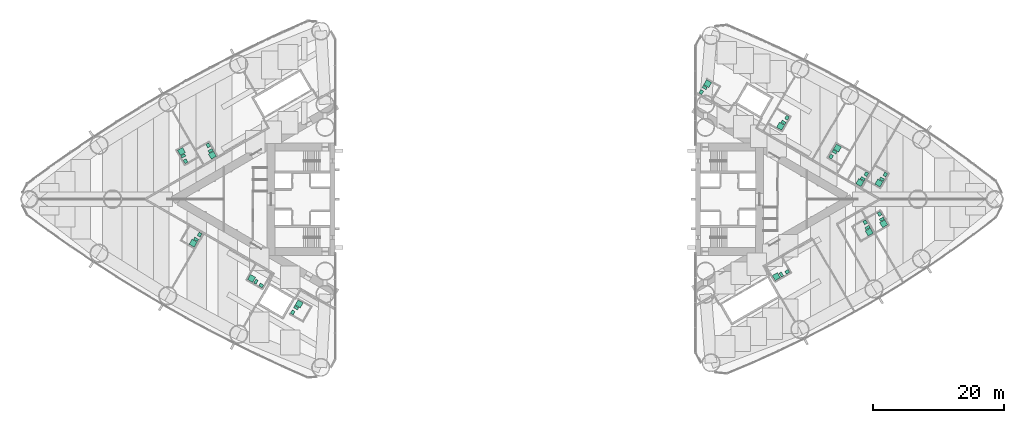
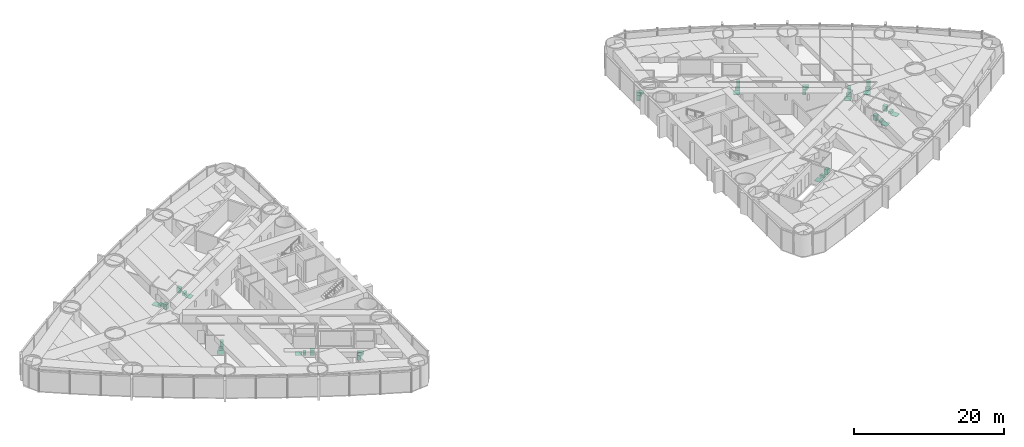
# One storey, part 19 of 19: 17 sanitary terminals.
"""IFC4 building model written with IfcOpenShell, lengths in metres."""

import ifcopenshell
import ifcopenshell.guid

model = None  # the IFC model being written
_history = None  # IfcOwnerHistory: only IFC2X3 demands one
_inside = {}  # id of a spatial element -> (the spatial element, [elements in it])
_under = {}  # id of a project, library or spatial element -> (it, [spatial elements below it])
_declared = {}  # id of a project -> (the project, [libraries it declares])
_typed = {}  # id of a type object -> (the type object, [elements of that type])
_made_of = {}  # id of a material, layer set ... -> (it, [elements and type objects made of it])


def new_model(schema):
    """Start an empty IFC model of exactly this schema.

    Asked for "IFC4X3", IfcOpenShell would pick the latest addendum, in which some entities
    have other attributes; the version numbers below select the first issue.
    IFC2X3 requires an IfcOwnerHistory on every rooted entity: one is made here for all.
    """
    global model, _history
    if schema == "IFC4X3":
        model = ifcopenshell.file(schema_version=(4, 3, 0, 0))
    else:
        model = ifcopenshell.file(schema=schema)
    _inside.clear()
    _under.clear()
    _declared.clear()
    _typed.clear()
    _made_of.clear()
    _history = None
    if model.schema == "IFC2X3":
        org = make("IfcOrganization", Name="unknown")
        user = make(
            "IfcPersonAndOrganization",
            ThePerson=make("IfcPerson", FamilyName="unknown"),
            TheOrganization=org,
        )
        app = make(
            "IfcApplication",
            ApplicationDeveloper=org,
            Version="unknown",
            ApplicationFullName="unknown",
            ApplicationIdentifier="unknown",
        )
        _history = make(
            "IfcOwnerHistory",
            OwningUser=user,
            OwningApplication=app,
            ChangeAction="ADDED",
            CreationDate=0,
        )
    return model


def make(cls, **values):
    """One entity of the class cls with the attributes given. An attribute that is None is left unset."""
    return model.create_entity(
        cls, **{name: value for name, value in values.items() if value is not None}
    )


def rooted(cls, **values):
    """An entity with a GlobalId (a new one), such as an element, a storey or a relation."""
    return make(cls, GlobalId=ifcopenshell.guid.new(), OwnerHistory=_history, **values)


def si_unit(unit_type, name, prefix=None):
    """IfcSIUnit, for example si_unit("LENGTHUNIT", "METRE", prefix="MILLI")."""
    return make("IfcSIUnit", UnitType=unit_type, Prefix=prefix, Name=name)


def assignment(units):
    """IfcUnitAssignment: the units of a project."""
    return None if units is None else make("IfcUnitAssignment", Units=units)


def point(xyz):
    """IfcCartesianPoint."""
    return None if xyz is None else make("IfcCartesianPoint", Coordinates=xyz)


def direction(xyz):
    """IfcDirection."""
    return None if xyz is None else make("IfcDirection", DirectionRatios=xyz)


def frame(location, z_axis=None, x_axis=None):
    """IfcAxis2Placement3D, a coordinate frame: its origin and axes. An axis left out is left unset."""
    return make(
        "IfcAxis2Placement3D",
        Location=point(location),
        Axis=direction(z_axis),
        RefDirection=direction(x_axis),
    )


def frame_2d(location, x_axis=None):
    """IfcAxis2Placement2D, a coordinate frame in the plane: its origin and x axis."""
    return make(
        "IfcAxis2Placement2D", Location=point(location), RefDirection=direction(x_axis)
    )


def origin():
    """The frame at (0, 0, 0) with its axes left unset."""
    return frame((0.0, 0.0, 0.0))


def origin_2d():
    """The frame at (0, 0) in the plane with its x axis left unset."""
    return frame_2d((0.0, 0.0))


def place(relative_to, where):
    """IfcLocalPlacement: puts the frame where relative to a parent placement (None: the world)."""
    return make(
        "IfcLocalPlacement", PlacementRelTo=relative_to, RelativePlacement=where
    )


def context(
    kind, dimensions, precision=None, world=None, true_north=None, identifier=None
):
    """IfcGeometricRepresentationContext, for example the 3D "Model" context."""
    return make(
        "IfcGeometricRepresentationContext",
        ContextIdentifier=identifier,
        ContextType=kind,
        CoordinateSpaceDimension=dimensions,
        Precision=precision,
        WorldCoordinateSystem=world,
        TrueNorth=true_north,
    )


def subcontext(parent, identifier, kind, view, scale=None):
    """IfcGeometricRepresentationSubContext, for example "Body" below "Model"."""
    return make(
        "IfcGeometricRepresentationSubContext",
        ContextIdentifier=identifier,
        ContextType=kind,
        ParentContext=parent,
        TargetScale=scale,
        TargetView=view,
    )


def project(units=None, contexts=None):
    """IfcProject with its units and contexts."""
    return rooted(
        "IfcProject",
        Name="project",
        RepresentationContexts=contexts,
        UnitsInContext=assignment(units),
    )


def spatial(cls, under=None, at=None, **own):
    """A site, building, storey or space (cls), placed at a placement, below another one or the project."""
    s = rooted(cls, ObjectPlacement=at, **own)
    if under is not None:
        _under.setdefault(under.id(), (under, []))[1].append(s)
    return s


def profile(cls, at=None, kind="AREA", **sizes):
    """A parametric profile (cls). Its sizes go by their IFC names, for example OverallWidth=200.0."""
    return make(cls, ProfileType=kind, Position=at, **sizes)


def rectangle(**sizes):
    """IfcRectangleProfileDef."""
    return profile("IfcRectangleProfileDef", **sizes)


def extrude(swept, where, along, depth):
    """IfcExtrudedAreaSolid: the profile swept, set in the frame where, extruded along a direction by depth."""
    return make(
        "IfcExtrudedAreaSolid",
        SweptArea=swept,
        Position=where,
        ExtrudedDirection=direction(along),
        Depth=depth,
    )


def shape(context_of_items, identifier, shape_type, items):
    """IfcShapeRepresentation: the items that make up one representation, for example the "Body"."""
    return make(
        "IfcShapeRepresentation",
        ContextOfItems=context_of_items,
        RepresentationIdentifier=identifier,
        RepresentationType=shape_type,
        Items=items,
    )


def material(Name=None, Category=None):
    """IfcMaterial."""
    return make("IfcMaterial", Name=Name, Category=Category)


def made_of(thing, what):
    """Note that an element or type object is made of a material, layer set ...; save() writes the relation."""
    if what is not None:
        _made_of.setdefault(what.id(), (what, []))[1].append(thing)
    return thing


def type_object(cls, material=None, **own):
    """A type object (cls), such as IfcWallType, which elements share."""
    return made_of(rooted(cls, **own), material)


def element(
    cls,
    number,
    at=None,
    inside=None,
    cuts=None,
    type_object=None,
    material=None,
    context=None,
    identifier="Body",
    shape_type=None,
    held_by="IfcProductDefinitionShape",
    body=None,
    shapes=None,
    **own,
):
    """One element of the class cls, such as IfcWall. Its Tag is "e" and its number.

    at: its placement. inside: the storey or other place that contains it. cuts: it is an
    opening in that element (IfcRelVoidsElement). A single representation is given by context,
    identifier, shape_type and body (its items); several are given by shapes. held_by: the class
    of the entity that holds the representations. save() writes the other relations.
    """
    e = rooted(cls, Tag="e%d" % number, ObjectPlacement=at, **own)
    if body is not None:
        shapes = [shape(context, identifier, shape_type, body)]
    if shapes is not None:
        e.Representation = make(held_by, Representations=shapes)
    if inside is not None:
        _inside.setdefault(inside.id(), (inside, []))[1].append(e)
    if cuts is not None:
        rooted(
            "IfcRelVoidsElement", RelatingBuildingElement=cuts, RelatedOpeningElement=e
        )
    if type_object is not None:
        _typed.setdefault(type_object.id(), (type_object, []))[1].append(e)
    return made_of(e, material)


def aggregate(whole, parts):
    """IfcRelAggregates: a whole, such as a stair, and the parts it consists of."""
    return rooted("IfcRelAggregates", RelatingObject=whole, RelatedObjects=parts)


def save(model, path):
    """Write the relations noted so far, then the file.

    IfcRelAggregates (storeys below a building ...), IfcRelContainedInSpatialStructure (elements
    in a storey), IfcRelDefinesByType, IfcRelAssociatesMaterial and IfcRelDeclares: one each for
    every whole, place, type object, material and project.
    """
    for whole, parts in _under.values():
        aggregate(whole, parts)
    for where, things in _inside.values():
        rooted(
            "IfcRelContainedInSpatialStructure",
            RelatedElements=things,
            RelatingStructure=where,
        )
    for kind, things in _typed.values():
        rooted("IfcRelDefinesByType", RelatedObjects=things, RelatingType=kind)
    for what, things in _made_of.values():
        rooted("IfcRelAssociatesMaterial", RelatedObjects=things, RelatingMaterial=what)
    for by, libraries in _declared.values():
        rooted("IfcRelDeclares", RelatingContext=by, RelatedDefinitions=libraries)
    model.write(path)


model = new_model("IFC4")

# Units and contexts
model_context = context("Model", 3, precision=1e-05, world=origin(), true_north=direction((0.0, 1.0)))
body_context = subcontext(model_context, "Body", "Model", "MODEL_VIEW")
ifc_project = project(units=[si_unit("LENGTHUNIT", "METRE"), si_unit("AREAUNIT", "SQUARE_METRE"), si_unit("VOLUMEUNIT", "CUBIC_METRE"), si_unit("PLANEANGLEUNIT", "RADIAN"), si_unit("MASSUNIT", "GRAM", prefix="KILO")], contexts=[model_context])

# Site, building, storey
site_placement = place(None, origin())
site = spatial("IfcSite", under=ifc_project, at=site_placement, CompositionType="ELEMENT")
building_placement = place(site_placement, origin())
building = spatial("IfcBuilding", under=site, at=building_placement, Name="Lancet Gate Hotel", CompositionType="ELEMENT")
storey_placement = place(building_placement, frame((0.0, 0.0, 18.0)))
storey = spatial("IfcBuildingStorey", under=building, at=storey_placement, Name="L03", CompositionType="ELEMENT", Elevation=18.0)

# Sanitary terminals
ifc_material_1 = material(Name="Vitreous china sanitary ware")
sanitary_terminal_type_1 = type_object("IfcSanitaryTerminalType", Name="En-suite sanitary set (shower, WC, basin)", PredefinedType="USERDEFINED", material=ifc_material_1)
sanitary_terminal_1_placement = place(storey_placement, frame((-50.99169921875, 7.2958984375, 0.0), z_axis=(0.0, 0.0, 1.0), x_axis=(1.0, 0.0, 0.0)))
element("IfcSanitaryTerminal", 1, at=sanitary_terminal_1_placement, inside=storey, type_object=sanitary_terminal_type_1, Name="En-suite sanitary set (shower, WC, basin) 0303", ObjectType="EN-SUITE SANITARY SET", PredefinedType="USERDEFINED", context=body_context, shape_type="SweptSolid", body=[
    extrude(rectangle(XDim=0.89990234375, YDim=0.89990234375, at=origin_2d()), frame((0.0, 0.0, 0.0), z_axis=(0.0, 0.0, 1.0), x_axis=(-0.5, 0.866025403784, 0.0)), (0.0, 0.0, 1.0), 0.050048828125),
    extrude(rectangle(XDim=0.39990234375, YDim=0.699951171875, at=origin_2d()), frame((0.278564453125, -0.682373046875, 0.0), z_axis=(0.0, 0.0, 1.0), x_axis=(-0.5, 0.866025403784, 0.0)), (0.0, 0.0, 1.0), 0.39990234375),
    extrude(rectangle(XDim=0.60009765625, YDim=0.5, at=origin_2d()), frame((0.6318359375, -1.494384765625, 0.0), z_axis=(0.0, 0.0, 1.0), x_axis=(-0.5, 0.866025403784, 0.0)), (0.0, 0.0, 1.0), 0.85009765625),
])
sanitary_terminal_2_placement = place(storey_placement, frame((-49.200439453125, -6.71337890625, 0.0), z_axis=(0.0, 0.0, 1.0), x_axis=(1.0, 0.0, 0.0)))
element("IfcSanitaryTerminal", 2, at=sanitary_terminal_2_placement, inside=storey, type_object=sanitary_terminal_type_1, Name="En-suite sanitary set (shower, WC, basin) 0305", ObjectType="EN-SUITE SANITARY SET", PredefinedType="USERDEFINED", context=body_context, shape_type="SweptSolid", body=[
    extrude(rectangle(XDim=0.89990234375, YDim=0.89990234375, at=origin_2d()), frame((0.0, 0.0, 0.0), z_axis=(0.0, 0.0, 1.0), x_axis=(-0.5, -0.866025403784, 0.0)), (0.0, 0.0, 1.0), 0.050048828125),
    extrude(rectangle(XDim=0.39990234375, YDim=0.699951171875, at=origin_2d()), frame((0.45166015625, 0.582275390625, 0.0), z_axis=(0.0, 0.0, 1.0), x_axis=(-0.5, -0.866025403784, 0.0)), (0.0, 0.0, 1.0), 0.39990234375),
    extrude(rectangle(XDim=0.60009765625, YDim=0.5, at=origin_2d()), frame((0.978271484375, 1.29443359375, 0.0), z_axis=(0.0, 0.0, 1.0), x_axis=(-0.5, -0.866025403784, 0.0)), (0.0, 0.0, 1.0), 0.85009765625),
])
sanitary_terminal_3_placement = place(storey_placement, frame((-46.261962890625, 6.72412109375, 0.0), z_axis=(0.0, 0.0, 1.0), x_axis=(1.0, 0.0, 0.0)))
element("IfcSanitaryTerminal", 3, at=sanitary_terminal_3_placement, inside=storey, type_object=sanitary_terminal_type_1, Name="En-suite sanitary set (shower, WC, basin) 0302", ObjectType="EN-SUITE SANITARY SET", PredefinedType="USERDEFINED", context=body_context, shape_type="SweptSolid", body=[
    extrude(rectangle(XDim=0.89990234375, YDim=0.89990234375, at=origin_2d()), frame((0.0, 0.0, 0.0), z_axis=(0.0, 0.0, 1.0), x_axis=(0.5, -0.866025403784, 0.0)), (0.0, 0.0, 1.0), 0.050048828125),
    extrude(rectangle(XDim=0.39990234375, YDim=0.699951171875, at=origin_2d()), frame((-0.2783203125, 0.68212890625, 0.0), z_axis=(0.0, 0.0, 1.0), x_axis=(0.5, -0.866025403784, 0.0)), (0.0, 0.0, 1.0), 0.39990234375),
    extrude(rectangle(XDim=0.60009765625, YDim=0.5, at=origin_2d()), frame((-0.6318359375, 1.494140625, 0.0), z_axis=(0.0, 0.0, 1.0), x_axis=(0.5, -0.866025403784, 0.0)), (0.0, 0.0, 1.0), 0.85009765625),
])
sanitary_terminal_4_placement = place(storey_placement, frame((-33.0107421875, -15.9912109375, 0.0), z_axis=(0.0, 0.0, 1.0), x_axis=(1.0, 0.0, 0.0)))
element("IfcSanitaryTerminal", 4, at=sanitary_terminal_4_placement, inside=storey, type_object=sanitary_terminal_type_1, Name="En-suite sanitary set (shower, WC, basin) 0308", ObjectType="EN-SUITE SANITARY SET", PredefinedType="USERDEFINED", context=body_context, shape_type="SweptSolid", body=[
    extrude(rectangle(XDim=0.89990234375, YDim=0.89990234375, at=origin_2d()), frame((0.0, 0.0, 0.0), z_axis=(0.0, 0.0, 1.0), x_axis=(0.5, 0.866025403784, 0.0)), (0.0, 0.0, 1.0), 0.050048828125),
    extrude(rectangle(XDim=0.39990234375, YDim=0.699951171875, at=origin_2d()), frame((-0.45166015625, -0.582275390625, 0.0), z_axis=(0.0, 0.0, 1.0), x_axis=(0.5, 0.866025403784, 0.0)), (0.0, 0.0, 1.0), 0.39990234375),
    extrude(rectangle(XDim=0.60009765625, YDim=0.5, at=origin_2d()), frame((-0.978271484375, -1.294189453125, 0.0), z_axis=(0.0, 0.0, 1.0), x_axis=(0.5, 0.866025403784, 0.0)), (0.0, 0.0, 1.0), 0.85009765625),
])
sanitary_terminal_5_placement = place(storey_placement, frame((54.071044921875, -5.017822265625, 0.0), z_axis=(0.0, 0.0, 1.0), x_axis=(1.0, 0.0, 0.0)))
element("IfcSanitaryTerminal", 5, at=sanitary_terminal_5_placement, inside=storey, type_object=sanitary_terminal_type_1, Name="En-suite sanitary set (shower, WC, basin) 0356", ObjectType="EN-SUITE SANITARY SET", PredefinedType="USERDEFINED", context=body_context, shape_type="SweptSolid", body=[
    extrude(rectangle(XDim=0.89990234375, YDim=0.89990234375, at=origin_2d()), frame((0.0, 0.0, 0.0), z_axis=(0.0, 0.0, 1.0), x_axis=(0.5, -0.866025403784, 0.0)), (0.0, 0.0, 1.0), 0.050048828125),
    extrude(rectangle(XDim=0.39990234375, YDim=0.699951171875, at=origin_2d()), frame((-0.2783203125, 0.68212890625, 0.0), z_axis=(0.0, 0.0, 1.0), x_axis=(0.5, -0.866025403784, 0.0)), (0.0, 0.0, 1.0), 0.39990234375),
    extrude(rectangle(XDim=0.60009765625, YDim=0.5, at=origin_2d()), frame((-0.6318359375, 1.494384765625, 0.0), z_axis=(0.0, 0.0, 1.0), x_axis=(0.5, -0.866025403784, 0.0)), (0.0, 0.0, 1.0), 0.85009765625),
])
sanitary_terminal_6_placement = place(storey_placement, frame((56.279541015625, -3.742919921875, 0.0), z_axis=(0.0, 0.0, 1.0), x_axis=(1.0, 0.0, 0.0)))
element("IfcSanitaryTerminal", 6, at=sanitary_terminal_6_placement, inside=storey, type_object=sanitary_terminal_type_1, Name="En-suite sanitary set (shower, WC, basin) 0357", ObjectType="EN-SUITE SANITARY SET", PredefinedType="USERDEFINED", context=body_context, shape_type="SweptSolid", body=[
    extrude(rectangle(XDim=0.89990234375, YDim=0.89990234375, at=origin_2d()), frame((0.0, 0.0, 0.0), z_axis=(0.0, 0.0, 1.0), x_axis=(0.5, -0.866025403784, 0.0)), (0.0, 0.0, 1.0), 0.050048828125),
    extrude(rectangle(XDim=0.39990234375, YDim=0.699951171875, at=origin_2d()), frame((-0.2783203125, 0.682373046875, 0.0), z_axis=(0.0, 0.0, 1.0), x_axis=(0.5, -0.866025403784, 0.0)), (0.0, 0.0, 1.0), 0.39990234375),
    extrude(rectangle(XDim=0.60009765625, YDim=0.5, at=origin_2d()), frame((-0.6318359375, 1.494384765625, 0.0), z_axis=(0.0, 0.0, 1.0), x_axis=(0.5, -0.866025403784, 0.0)), (0.0, 0.0, 1.0), 0.85009765625),
])
sanitary_terminal_7_placement = place(storey_placement, frame((55.549560546875, 2.478515625, 0.0), z_axis=(0.0, 0.0, 1.0), x_axis=(1.0, 0.0, 0.0)))
element("IfcSanitaryTerminal", 7, at=sanitary_terminal_7_placement, inside=storey, type_object=sanitary_terminal_type_1, Name="En-suite sanitary set (shower, WC, basin) 0358", ObjectType="EN-SUITE SANITARY SET", PredefinedType="USERDEFINED", context=body_context, shape_type="SweptSolid", body=[
    extrude(rectangle(XDim=0.89990234375, YDim=0.89990234375, at=origin_2d()), frame((0.0, 0.0, 0.0), z_axis=(0.0, 0.0, 1.0), x_axis=(-0.5, -0.866025403784, 0.0)), (0.0, 0.0, 1.0), 0.050048828125),
    extrude(rectangle(XDim=0.39990234375, YDim=0.699951171875, at=origin_2d()), frame((0.45166015625, 0.58203125, 0.0), z_axis=(0.0, 0.0, 1.0), x_axis=(-0.5, -0.866025403784, 0.0)), (0.0, 0.0, 1.0), 0.39990234375),
    extrude(rectangle(XDim=0.60009765625, YDim=0.5, at=origin_2d()), frame((0.97802734375, 1.294189453125, 0.0), z_axis=(0.0, 0.0, 1.0), x_axis=(-0.5, -0.866025403784, 0.0)), (0.0, 0.0, 1.0), 0.85009765625),
])
sanitary_terminal_8_placement = place(storey_placement, frame((52.64111328125, 2.541015625, 0.0), z_axis=(0.0, 0.0, 1.0), x_axis=(1.0, 0.0, 0.0)))
element("IfcSanitaryTerminal", 8, at=sanitary_terminal_8_placement, inside=storey, type_object=sanitary_terminal_type_1, Name="En-suite sanitary set (shower, WC, basin) 0359", ObjectType="EN-SUITE SANITARY SET", PredefinedType="USERDEFINED", context=body_context, shape_type="SweptSolid", body=[
    extrude(rectangle(XDim=0.89990234375, YDim=0.89990234375, at=origin_2d()), frame((0.0, 0.0, 0.0), z_axis=(0.0, 0.0, 1.0), x_axis=(-0.5, -0.866025403784, 0.0)), (0.0, 0.0, 1.0), 0.050048828125),
    extrude(rectangle(XDim=0.39990234375, YDim=0.699951171875, at=origin_2d()), frame((0.45166015625, 0.582275390625, 0.0), z_axis=(0.0, 0.0, 1.0), x_axis=(-0.5, -0.866025403784, 0.0)), (0.0, 0.0, 1.0), 0.39990234375),
    extrude(rectangle(XDim=0.60009765625, YDim=0.5, at=origin_2d()), frame((0.978271484375, 1.294189453125, 0.0), z_axis=(0.0, 0.0, 1.0), x_axis=(-0.5, -0.866025403784, 0.0)), (0.0, 0.0, 1.0), 0.85009765625),
])
sanitary_terminal_9_placement = place(storey_placement, frame((49.224853515625, 7.81591796875, 0.0), z_axis=(0.0, 0.0, 1.0), x_axis=(1.0, 0.0, 0.0)))
element("IfcSanitaryTerminal", 9, at=sanitary_terminal_9_placement, inside=storey, type_object=sanitary_terminal_type_1, Name="En-suite sanitary set (shower, WC, basin) 0360", ObjectType="EN-SUITE SANITARY SET", PredefinedType="USERDEFINED", context=body_context, shape_type="SweptSolid", body=[
    extrude(rectangle(XDim=0.89990234375, YDim=0.89990234375, at=origin_2d()), frame((0.0, 0.0, 0.0), z_axis=(0.0, 0.0, 1.0), x_axis=(0.5, 0.866025403784, 0.0)), (0.0, 0.0, 1.0), 0.050048828125),
    extrude(rectangle(XDim=0.39990234375, YDim=0.699951171875, at=origin_2d()), frame((-0.45166015625, -0.582275390625, 0.0), z_axis=(0.0, 0.0, 1.0), x_axis=(0.5, 0.866025403784, 0.0)), (0.0, 0.0, 1.0), 0.39990234375),
    extrude(rectangle(XDim=0.60009765625, YDim=0.5, at=origin_2d()), frame((-0.978271484375, -1.29443359375, 0.0), z_axis=(0.0, 0.0, 1.0), x_axis=(0.5, 0.866025403784, 0.0)), (0.0, 0.0, 1.0), 0.85009765625),
])
sanitary_terminal_10_placement = place(storey_placement, frame((40.530029296875, 11.14990234375, 0.0), z_axis=(0.0, 0.0, 1.0), x_axis=(1.0, 0.0, 0.0)))
element("IfcSanitaryTerminal", 10, at=sanitary_terminal_10_placement, inside=storey, type_object=sanitary_terminal_type_1, Name="En-suite sanitary set (shower, WC, basin) 0361", ObjectType="EN-SUITE SANITARY SET", PredefinedType="USERDEFINED", context=body_context, shape_type="SweptSolid", body=[
    extrude(rectangle(XDim=0.89990234375, YDim=0.89990234375, at=origin_2d()), frame((0.0, 0.0, 0.0), z_axis=(0.0, 0.0, 1.0), x_axis=(-0.5, -0.866025403784, 0.0)), (0.0, 0.0, 1.0), 0.050048828125),
    extrude(rectangle(XDim=0.39990234375, YDim=0.699951171875, at=origin_2d()), frame((0.45166015625, 0.582275390625, 0.0), z_axis=(0.0, 0.0, 1.0), x_axis=(-0.5, -0.866025403784, 0.0)), (0.0, 0.0, 1.0), 0.39990234375),
    extrude(rectangle(XDim=0.60009765625, YDim=0.5, at=origin_2d()), frame((0.978271484375, 1.294189453125, 0.0), z_axis=(0.0, 0.0, 1.0), x_axis=(-0.5, -0.866025403784, 0.0)), (0.0, 0.0, 1.0), 0.85009765625),
])
sanitary_terminal_11_placement = place(storey_placement, frame((29.390380859375, 17.650634765625, 0.0), z_axis=(0.0, 0.0, 1.0), x_axis=(1.0, 0.0, 0.0)))
element("IfcSanitaryTerminal", 11, at=sanitary_terminal_11_placement, inside=storey, type_object=sanitary_terminal_type_1, Name="En-suite sanitary set (shower, WC, basin) 0363", ObjectType="EN-SUITE SANITARY SET", PredefinedType="USERDEFINED", context=body_context, shape_type="SweptSolid", body=[
    extrude(rectangle(XDim=0.89990234375, YDim=0.89990234375, at=origin_2d()), frame((0.0, 0.0, 0.0), z_axis=(0.0, 0.0, 1.0), x_axis=(0.5, 0.866025403784, 0.0)), (0.0, 0.0, 1.0), 0.050048828125),
    extrude(rectangle(XDim=0.39990234375, YDim=0.699951171875, at=origin_2d()), frame((-0.451416015625, -0.582275390625, 0.0), z_axis=(0.0, 0.0, 1.0), x_axis=(0.5, 0.866025403784, 0.0)), (0.0, 0.0, 1.0), 0.39990234375),
    extrude(rectangle(XDim=0.60009765625, YDim=0.5, at=origin_2d()), frame((-0.97802734375, -1.29443359375, 0.0), z_axis=(0.0, 0.0, 1.0), x_axis=(0.5, 0.866025403784, 0.0)), (0.0, 0.0, 1.0), 0.85009765625),
])
ifc_material_2 = material(Name="Stone resin shower tray", Category="masonry")
sanitary_terminal_type_2 = type_object("IfcSanitaryTerminalType", Name="Shower tray 900", PredefinedType="SHOWER", material=ifc_material_2)
for number, where, z_axis, x_axis, name in (
    (12, (-40.2763671875, -12.0966796875, 0.0), (0.0, 0.0, 1.0), (-0.866025403784, 0.5, 0.0), "Shower tray 900 0307"),
    (13, (39.87841796875, -11.826416015625, 0.0), (0.0, 0.0, 1.0), (-0.866025403784, -0.5, 0.0), "Shower tray 900 0353"),
):
    element("IfcSanitaryTerminal", number, at=place(storey_placement, frame(where, z_axis=z_axis, x_axis=x_axis)), inside=storey, type_object=sanitary_terminal_type_2, Name=name, PredefinedType="SHOWER", context=body_context, shape_type="SweptSolid", body=[
        extrude(rectangle(XDim=0.89990234375, YDim=0.89990234375, at=origin_2d()), origin(), (0.0, 0.0, 1.0), 0.050048828125),
    ])
ifc_material_3 = material(Name="Vitreous china sanitary ware")
sanitary_terminal_type_3 = type_object("IfcSanitaryTerminalType", Name="Vanity basin 600", PredefinedType="WASHHANDBASIN", material=ifc_material_3)
for number, where, z_axis, x_axis, name in (
    (14, (-38.808837890625, -13.1748046875, 0.0), (0.0, 0.0, 1.0), (-0.866025403784, 0.5, 0.0), "Vanity basin 600 0307"),
    (15, (41.5458984375, -11.094482421875, 0.0), (0.0, 0.0, 1.0), (-0.866025403784, -0.5, 0.0), "Vanity basin 600 0353"),
):
    element("IfcSanitaryTerminal", number, at=place(storey_placement, frame(where, z_axis=z_axis, x_axis=x_axis)), inside=storey, type_object=sanitary_terminal_type_3, Name=name, PredefinedType="WASHHANDBASIN", context=body_context, shape_type="SweptSolid", body=[
        extrude(rectangle(XDim=0.60009765625, YDim=0.5, at=origin_2d()), origin(), (0.0, 0.0, 1.0), 0.85009765625),
    ])
ifc_material_4 = material(Name="Vitreous china sanitary ware")
sanitary_terminal_type_4 = type_object("IfcSanitaryTerminalType", Name="WC pan wall hung", PredefinedType="TOILETPAN", material=ifc_material_4)
for number, where, z_axis, x_axis, name in (
    (16, (-39.607421875, -12.59814453125, 0.0), (0.0, 0.0, 1.0), (-0.866025403784, 0.5, 0.0), "WC pan wall hung 0307"),
    (17, (40.647216796875, -11.497802734375, 0.0), (0.0, 0.0, 1.0), (-0.866025403784, -0.5, 0.0), "WC pan wall hung 0353"),
):
    element("IfcSanitaryTerminal", number, at=place(storey_placement, frame(where, z_axis=z_axis, x_axis=x_axis)), inside=storey, type_object=sanitary_terminal_type_4, Name=name, PredefinedType="TOILETPAN", context=body_context, shape_type="SweptSolid", body=[
        extrude(rectangle(XDim=0.39990234375, YDim=0.699951171875, at=origin_2d()), origin(), (0.0, 0.0, 1.0), 0.39990234375),
    ])

save(model, "model.ifc")
